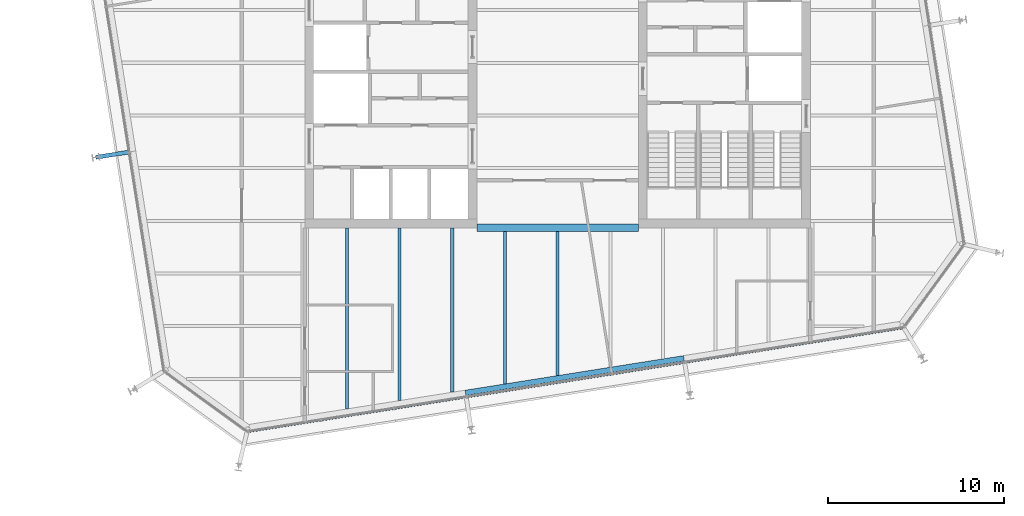
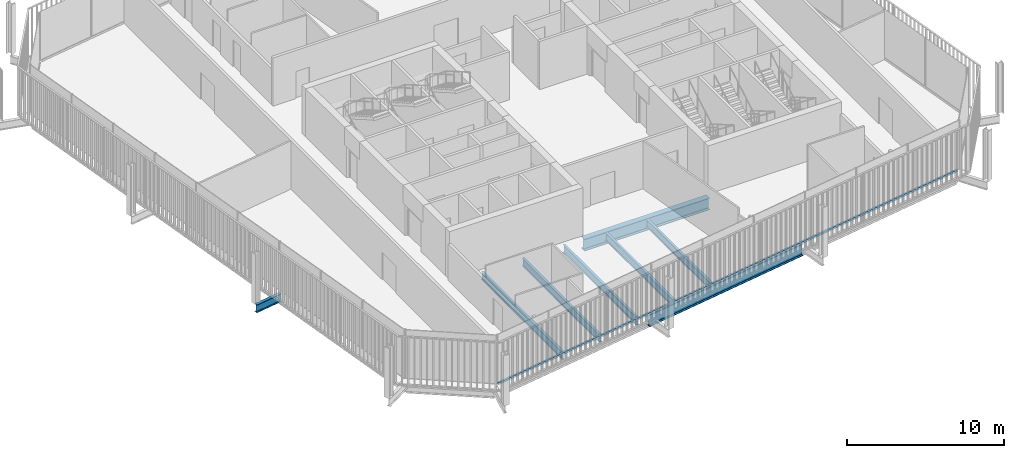
# One storey, part 3 of 20: 8 beams, 1 member, 1 element without a shape of its own.
"""IFC4 building model written with IfcOpenShell, lengths in metres."""

from ifc_helpers import new_model, si_unit, direction, frame, origin, origin_2d, place, context, subcontext, project, spatial, rectangle, i_section, extrude, material, layer, layer_set, material_profile, profile_set, type_object, element, aggregate, save


model = new_model("IFC4")

# Units and contexts
model_context = context("Model", 3, precision=1e-05, world=origin(), true_north=direction((0.0, 1.0)))
body_context = subcontext(model_context, "Body", "Model", "MODEL_VIEW")
ifc_project = project(units=[si_unit("LENGTHUNIT", "METRE"), si_unit("AREAUNIT", "SQUARE_METRE"), si_unit("VOLUMEUNIT", "CUBIC_METRE"), si_unit("PLANEANGLEUNIT", "RADIAN"), si_unit("MASSUNIT", "GRAM", prefix="KILO")], contexts=[model_context])

# Site, building, storey
site_placement = place(None, origin())
site = spatial("IfcSite", under=ifc_project, at=site_placement, CompositionType="ELEMENT")
building_placement = place(site_placement, origin())
building = spatial("IfcBuilding", under=site, at=building_placement, Name="Millrace Tower", CompositionType="ELEMENT")
storey_placement = place(building_placement, frame((0.0, 0.0, 216.39990234375)))
storey = spatial("IfcBuildingStorey", under=building, at=storey_placement, Name="L49", CompositionType="ELEMENT", Elevation=216.39990234375)

# Curtain wall, member
ifc_material_1 = material(Name="Aluminium and glass", Category="aluminium")
ifc_layer = layer(ifc_material_1, 0.14990234375)
ifc_layer_set = layer_set([ifc_layer], Name="Aluminium and glass")
curtain_wall_type = type_object("IfcCurtainWallType", Name="CW-1 office vision curtain wall", PredefinedType="NOTDEFINED", material=ifc_layer_set)
curtain_wall_placement = place(storey_placement, origin())
curtain_wall = element("IfcCurtainWall", 1, at=curtain_wall_placement, inside=storey, type_object=curtain_wall_type, Name="Curtain wall D-F02 L49", PredefinedType="NOTDEFINED")
ifc_material_2 = material(Name="Aluminium", Category="aluminium")
ifc_material_profile_1 = material_profile(ifc_material_2, rectangle(XDim=0.14990234375, YDim=0.139892578125, at=origin_2d()))
ifc_profile_set_1 = profile_set([ifc_material_profile_1], Name="Aluminium")
member_type = type_object("IfcMemberType", Name="CW-1 office vision curtain wall transom", PredefinedType="USERDEFINED", material=ifc_profile_set_1)
member_placement = place(storey_placement, frame((-17.558837890625, -20.98193359375, 0.070068359375), z_axis=(0.987687829698, 0.156437690685, 0.0), x_axis=(-0.156437690685, 0.987687829698, 0.0)))
member = element("IfcMember", 2, at=member_placement, type_object=member_type, Name="CW1 transom D-F02.1", ObjectType="TRANSOM", PredefinedType="USERDEFINED", context=body_context, shape_type="SweptSolid", body=[
    extrude(rectangle(XDim=0.14990234375, YDim=0.139892578125, at=origin_2d()), origin(), (0.0, 0.0, 1.0), 37.60009765625),
])
aggregate(curtain_wall, [member])

# Beams
ifc_material_3 = material(Name="Steel ASTM A992 Grade 50", Category="steel")
ifc_material_profile_2 = material_profile(ifc_material_3, i_section(OverallWidth=0.177978515625, OverallDepth=0.599365234375, WebThickness=0.010009765625, FlangeThickness=0.012939453125, FilletRadius=0.012939453125, at=origin_2d()))
ifc_profile_set_2 = profile_set([ifc_material_profile_2], Name="Steel ASTM A992 Grade 50")
beam_type_1 = type_object("IfcBeamType", Name="Floor beam W24x55", PredefinedType="JOIST", material=ifc_profile_set_2)
beam_1_placement = place(storey_placement, frame((-9.0, -19.2392578125, -0.459716796875), z_axis=(0.0, 1.0, 0.0), x_axis=(-1.0, 0.0, 0.0)))
element("IfcBeam", 3, at=beam_1_placement, inside=storey, type_object=beam_type_1, Name="BM-D-L49-S1-S039", PredefinedType="JOIST", context=body_context, shape_type="SweptSolid", body=[
    extrude(i_section(OverallWidth=0.177978515625, OverallDepth=0.599365234375, WebThickness=0.010009765625, FlangeThickness=0.012939453125, FilletRadius=0.012939453125, at=origin_2d()), origin(), (0.0, 0.0, 1.0), 9.83935546875),
])
beam_2_placement = place(storey_placement, frame((-6.0, -18.763916015625, -0.459716796875), z_axis=(0.0, 1.0, 0.0), x_axis=(-1.0, 0.0, 0.0)))
element("IfcBeam", 4, at=beam_2_placement, inside=storey, type_object=beam_type_1, Name="BM-D-L49-S1-S041", PredefinedType="JOIST", context=body_context, shape_type="SweptSolid", body=[
    extrude(i_section(OverallWidth=0.177978515625, OverallDepth=0.599365234375, WebThickness=0.010009765625, FlangeThickness=0.012939453125, FilletRadius=0.012939453125, at=origin_2d()), origin(), (0.0, 0.0, 1.0), 9.364013671875),
])
beam_3_placement = place(storey_placement, frame((-3.0, -18.288818359375, -0.459716796875), z_axis=(0.0, 1.0, 0.0), x_axis=(-1.0, 0.0, 0.0)))
element("IfcBeam", 5, at=beam_3_placement, inside=storey, type_object=beam_type_1, Name="BM-D-L49-S1-S043", PredefinedType="JOIST", context=body_context, shape_type="SweptSolid", body=[
    extrude(i_section(OverallWidth=0.177978515625, OverallDepth=0.599365234375, WebThickness=0.010009765625, FlangeThickness=0.012939453125, FilletRadius=0.012939453125, at=origin_2d()), origin(), (0.0, 0.0, 1.0), 8.67919921875),
])
beam_4_placement = place(storey_placement, frame((0.0, -17.813720703125, -0.459716796875), z_axis=(0.0, 1.0, 0.0), x_axis=(-1.0, 0.0, 0.0)))
element("IfcBeam", 6, at=beam_4_placement, inside=storey, type_object=beam_type_1, Name="BM-D-L49-S1-S045", PredefinedType="JOIST", context=body_context, shape_type="SweptSolid", body=[
    extrude(i_section(OverallWidth=0.177978515625, OverallDepth=0.599365234375, WebThickness=0.010009765625, FlangeThickness=0.012939453125, FilletRadius=0.012939453125, at=origin_2d()), origin(), (0.0, 0.0, 1.0), 8.2041015625),
])
ifc_material_4 = material(Name="Steel ASTM A992 Grade 50", Category="steel")
ifc_material_profile_3 = material_profile(ifc_material_4, i_section(OverallWidth=0.1787109375, OverallDepth=0.60205078125, WebThickness=0.010986328125, FlangeThickness=0.014892578125, FilletRadius=0.0126953125, at=origin_2d()))
ifc_profile_set_3 = profile_set([ifc_material_profile_3], Name="Steel ASTM A992 Grade 50")
beam_type_2 = type_object("IfcBeamType", Name="Floor beam W24x62", PredefinedType="JOIST", material=ifc_profile_set_3)
beam_5_placement = place(storey_placement, frame((-12.0, -19.71435546875, -0.4609375), z_axis=(0.0, 1.0, 0.0), x_axis=(-1.0, 0.0, 0.0)))
element("IfcBeam", 7, at=beam_5_placement, inside=storey, type_object=beam_type_2, Name="BM-D-L49-S1-S037", PredefinedType="JOIST", context=body_context, shape_type="SweptSolid", body=[
    extrude(i_section(OverallWidth=0.1787109375, OverallDepth=0.60205078125, WebThickness=0.010986328125, FlangeThickness=0.014892578125, FilletRadius=0.0126953125, at=origin_2d()), origin(), (0.0, 0.0, 1.0), 10.314453125),
])
ifc_material_5 = material(Name="Steel ASTM A992 Grade 50", Category="steel")
ifc_material_profile_4 = material_profile(ifc_material_5, i_section(OverallWidth=0.419189453125, OverallDepth=0.927001953125, WebThickness=0.019287109375, FlangeThickness=0.031982421875, FilletRadius=0.024169921875, at=origin_2d()))
ifc_profile_set_4 = profile_set([ifc_material_profile_4], Name="Steel ASTM A992 Grade 50")
beam_type_3 = type_object("IfcBeamType", Name="Girder short span W36x231", PredefinedType="BEAM", material=ifc_profile_set_4)
beam_6_placement = place(storey_placement, frame((-4.60009765625, -9.39990234375, -0.62353515625), z_axis=(1.0, 0.0, 0.0), x_axis=(0.0, 1.0, 0.0)))
element("IfcBeam", 8, at=beam_6_placement, inside=storey, type_object=beam_type_3, Name="BM-D-L49-S1-G059", PredefinedType="BEAM", context=body_context, shape_type="SweptSolid", body=[
    extrude(i_section(OverallWidth=0.419189453125, OverallDepth=0.927001953125, WebThickness=0.019287109375, FlangeThickness=0.031982421875, FilletRadius=0.024169921875, at=origin_2d()), origin(), (0.0, 0.0, 1.0), 9.2001953125),
])
ifc_material_6 = material(Name="Steel ASTM A992 Grade 50", Category="steel")
ifc_material_profile_5 = material_profile(ifc_material_6, i_section(OverallWidth=0.23046875, OverallDepth=0.6171875, WebThickness=0.01318359375, FlangeThickness=0.022216796875, FilletRadius=0.012939453125, at=origin_2d()))
ifc_profile_set_5 = profile_set([ifc_material_profile_5], Name="Steel ASTM A992 Grade 50")
beam_type_4 = type_object("IfcBeamType", Name="Link beam W24x94", PredefinedType="BEAM", material=ifc_profile_set_5)
beam_7_placement = place(storey_placement, frame((-24.331298828125, -5.0703125, -0.468505859375), z_axis=(-0.987678691416, -0.156495375404, 0.0), x_axis=(0.156495375404, -0.987678691416, 0.0)))
element("IfcBeam", 9, at=beam_7_placement, inside=storey, type_object=beam_type_4, Name="LNK-D-L49-S1-02", PredefinedType="BEAM", context=body_context, shape_type="SweptSolid", body=[
    extrude(i_section(OverallWidth=0.23046875, OverallDepth=0.6171875, WebThickness=0.01318359375, FlangeThickness=0.022216796875, FilletRadius=0.012939453125, at=origin_2d()), origin(), (0.0, 0.0, 1.0), 2.0),
])
ifc_material_7 = material(Name="Steel ASTM A992 Grade 50", Category="steel")
ifc_material_profile_6 = material_profile(ifc_material_7, i_section(OverallWidth=0.307373046875, OverallDepth=0.927001953125, WebThickness=0.01953125, FlangeThickness=0.031982421875, FilletRadius=0.01904296875, at=origin_2d()))
ifc_profile_set_6 = profile_set([ifc_material_profile_6], Name="Steel ASTM A992 Grade 50")
beam_type_5 = type_object("IfcBeamType", Name="Ring beam medium span W36x194", PredefinedType="SPANDREL", material=ifc_profile_set_6)
beam_8_placement = place(storey_placement, frame((7.1962890625, -16.82958984375, -0.62353515625), z_axis=(-0.987689802912, -0.156425232058, 0.0), x_axis=(0.156425232058, -0.987689802912, 0.0)))
element("IfcBeam", 10, at=beam_8_placement, inside=storey, type_object=beam_type_5, Name="RNG-D-L49-S1-14", PredefinedType="SPANDREL", context=body_context, shape_type="SweptSolid", body=[
    extrude(i_section(OverallWidth=0.307373046875, OverallDepth=0.927001953125, WebThickness=0.01953125, FlangeThickness=0.031982421875, FilletRadius=0.01904296875, at=origin_2d()), origin(), (0.0, 0.0, 1.0), 12.599853515625),
])

save(model, "model.ifc")
